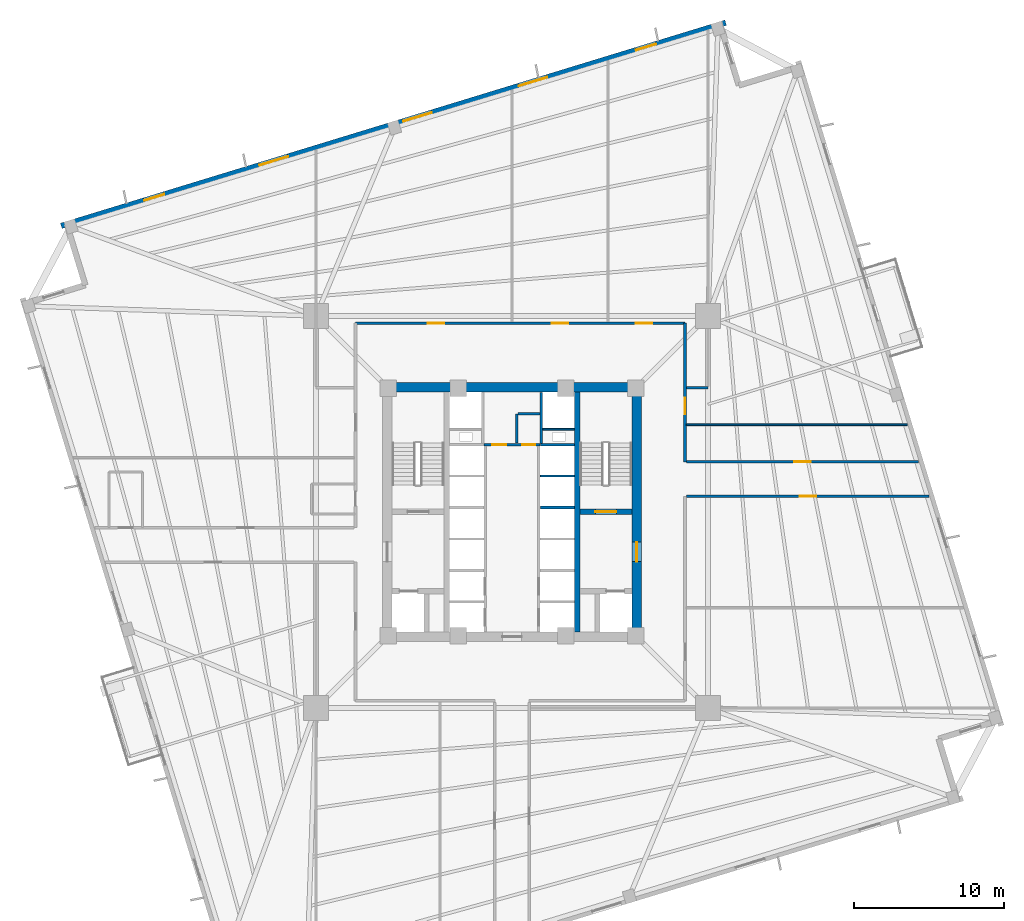
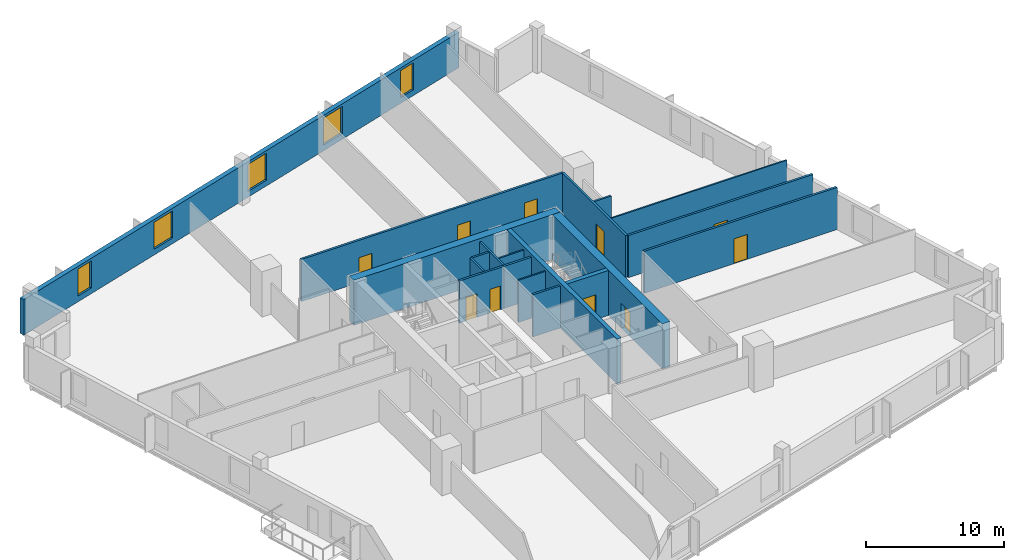
# One storey, part 5 of 9: 19 walls, 10 doors, 5 windows, 15 openings.
"""IFC4 building model written with IfcOpenShell, lengths in metres."""

from ifc_helpers import new_model, si_unit, direction, frame, frame_2d, origin, place, context, subcontext, project, spatial, rectangle, extrude, source, transform, mapped, material, layer, layer_set, type_object, element, fill, save


model = new_model("IFC4")

# Units and contexts
model_context = context("Model", 3, precision=1e-05, world=origin(), true_north=direction((0.0, 1.0)))
body_context = subcontext(model_context, "Body", "Model", "MODEL_VIEW")
ifc_project = project(units=[si_unit("LENGTHUNIT", "METRE"), si_unit("AREAUNIT", "SQUARE_METRE"), si_unit("VOLUMEUNIT", "CUBIC_METRE"), si_unit("PLANEANGLEUNIT", "RADIAN"), si_unit("MASSUNIT", "GRAM", prefix="KILO"), si_unit("THERMODYNAMICTEMPERATUREUNIT", "KELVIN")], contexts=[model_context])

# Site, building, storey
site_placement = place(None, origin())
site = spatial("IfcSite", under=ifc_project, at=site_placement, CompositionType="ELEMENT")
building_placement = place(site_placement, origin())
building = spatial("IfcBuilding", under=site, at=building_placement, Name="Kosmvard Interchange Tower", CompositionType="ELEMENT")
storey_placement = place(building_placement, frame((0.0, 0.0, 119.199951171875)))
storey = spatial("IfcBuildingStorey", under=building, at=storey_placement, Name="L28", CompositionType="ELEMENT", Elevation=119.199951171875)

# Walls
ifc_material_1 = material(Name="Acoustic gypsum partition system")
ifc_layer_1 = layer(ifc_material_1, 0.14990234375, Name="Acoustic gypsum partition system")
ifc_layer_set_1 = layer_set([ifc_layer_1], Name="Acoustic gypsum partition system")
wall_type_1 = type_object("IfcWallType", Name="Acoustic Suite & Meeting Partition 150", PredefinedType="PARTITIONING", material=ifc_layer_set_1)
wall_1_placement = place(storey_placement, frame((11.64501953125, 8.300048828125, 0.0), z_axis=(0.0, 0.0, 1.0), x_axis=(1.0, 0.0, 0.0)))
element("IfcWall", 1, at=wall_1_placement, inside=storey, type_object=wall_type_1, Name="L28 Room Partition 05.1", PredefinedType="PARTITIONING", context=body_context, shape_type="SweptSolid", body=[
    extrude(rectangle(XDim=1.43603515625, YDim=0.14990234375, at=frame_2d((0.718017578125, 0.0))), origin(), (0.0, 0.0, 1.0), 3.739990234375),
])
ifc_material_2 = material(Name="Fire-rated gypsum partition system")
ifc_layer_2 = layer(ifc_material_2, 0.159912109375, Name="Fire-rated gypsum partition system")
ifc_layer_set_2 = layer_set([ifc_layer_2], Name="Fire-rated gypsum partition system")
wall_type_2 = type_object("IfcWallType", Name="Core Compartment & Shuttle Lobby Partition 160", PredefinedType="PARTITIONING", material=ifc_layer_set_2)
wall_2_placement = place(storey_placement, frame((1.9599609375, 4.580078125, 0.0), z_axis=(0.0, 0.0, 1.0), x_axis=(0.0, 1.0, 0.0)))
element("IfcWall", 2, at=wall_2_placement, inside=storey, type_object=wall_type_2, Name="L28 North Core East Wall", PredefinedType="PARTITIONING", context=body_context, shape_type="SweptSolid", body=[
    extrude(rectangle(XDim=3.39990234375, YDim=0.159912109375, at=frame_2d((1.699951171875, 0.0))), origin(), (0.0, 0.0, 1.0), 3.739990234375),
])
ifc_material_3 = material(Name="Concrete blockwork masonry", Category="masonry")
ifc_layer_3 = layer(ifc_material_3, 0.159912109375, Name="Concrete blockwork masonry")
ifc_layer_set_3 = layer_set([ifc_layer_3], Name="Concrete blockwork masonry")
wall_type_3 = type_object("IfcWallType", Name="Core Enclosure Split Wall 160", PredefinedType="PARTITIONING", material=ifc_layer_set_3)
wall_3_placement = place(storey_placement, frame((0.320068359375, 4.60009765625, 0.0), z_axis=(0.0, 0.0, 1.0), x_axis=(0.0, 1.0, 0.0)))
element("IfcWall", 3, at=wall_3_placement, inside=storey, type_object=wall_type_3, Name="L28 Core K3 L-Wall 1", PredefinedType="PARTITIONING", context=body_context, shape_type="SweptSolid", body=[
    extrude(rectangle(XDim=1.949951171875, YDim=0.159912109375, at=frame_2d((0.97509765625, 0.0))), origin(), (0.0, 0.0, 1.0), 3.739990234375),
])
wall_4_placement = place(storey_placement, frame((0.39990234375, 6.550048828125, 0.0), z_axis=(0.0, 0.0, 1.0), x_axis=(1.0, 0.0, 0.0)))
element("IfcWall", 4, at=wall_4_placement, inside=storey, type_object=wall_type_3, Name="L28 Core K3 L-Wall 2", PredefinedType="PARTITIONING", context=body_context, shape_type="SweptSolid", body=[
    extrude(rectangle(XDim=1.460205078125, YDim=0.159912109375, at=frame_2d((0.72998046875, 0.0))), origin(), (0.0, 0.0, 1.0), 3.739990234375),
])

# Wall, openings, doors
ifc_layer_4 = layer(ifc_material_2, 0.179931640625, Name="Fire-rated gypsum partition system")
ifc_layer_set_4 = layer_set([ifc_layer_4], Name="Fire-rated gypsum partition system")
wall_type_4 = type_object("IfcWallType", Name="Corridor & Hotel Compartment Partition 180", PredefinedType="PARTITIONING", material=ifc_layer_set_4)
wall_5_placement = place(storey_placement, frame((-1.8798828125, 4.489990234375, 0.0), z_axis=(0.0, 0.0, 1.0), x_axis=(1.0, 0.0, 0.0)))
wall_5 = element("IfcWall", 5, at=wall_5_placement, inside=storey, type_object=wall_type_4, Name="L28 Lift Lobby North Partition", PredefinedType="PARTITIONING", context=body_context, shape_type="SweptSolid", body=[
    extrude(rectangle(XDim=3.759765625, YDim=0.179931640625, at=frame_2d((1.8798828125, 0.0))), origin(), (0.0, 0.0, 1.0), 3.739990234375),
])
opening_1_placement = place(wall_5_placement, frame((0.550048828125, 0.0, 0.0)))
opening_1 = element("IfcOpeningElement", 6, at=opening_1_placement, cuts=wall_5, Name="Opening L28-KD1", PredefinedType="OPENING", context=body_context, shape_type="SweptSolid", body=[
    extrude(rectangle(XDim=0.949951171875, YDim=2.10009765625, at=frame_2d((0.47509765625, 1.050048828125))), frame((0.0, 0.10009765625, 0.0), z_axis=(0.0, -1.0, 0.0), x_axis=(1.0, 0.0, 0.0)), (0.0, 0.0, 1.0), 0.199951171875),
])
opening_2_placement = place(wall_5_placement, frame((2.56005859375, 0.0, 0.0)))
opening_2 = element("IfcOpeningElement", 7, at=opening_2_placement, cuts=wall_5, Name="Opening L28-KD2", PredefinedType="OPENING", context=body_context, shape_type="SweptSolid", body=[
    extrude(rectangle(XDim=0.8798828125, YDim=2.10009765625, at=frame_2d((0.43994140625, 1.050048828125))), frame((0.0, 0.10009765625, 0.0), z_axis=(0.0, -1.0, 0.0), x_axis=(1.0, 0.0, 0.0)), (0.0, 0.0, 1.0), 0.199951171875),
])
ifc_material_4 = material(Name="Painted fire-rated timber leaf", Category="wood")
door_type_1 = type_object("IfcDoorType", Name="Core Service Fire Door 950x2100 EI30", OperationType="NOTDEFINED", PredefinedType="DOOR", material=ifc_material_4)
shared_shape_1 = source(origin(), body_context, "Body", "SweptSolid", [
    extrude(rectangle(XDim=0.949951171875, YDim=2.10009765625, at=frame_2d((0.47509765625, 1.050048828125))), frame((0.0, 0.02490234375, 0.0), z_axis=(0.0, -1.0, 0.0), x_axis=(1.0, 0.0, 0.0)), (0.0, 0.0, 1.0), 0.050048828125),
])
door_1_placement = place(opening_1_placement, origin())
door_1 = element("IfcDoor", 8, at=door_1_placement, inside=storey, type_object=door_type_1, Name="L28 Core Archive Store Door", OperationType="SINGLE_SWING_LEFT", OverallHeight=2.10009765625, OverallWidth=0.949951171875, PredefinedType="DOOR", context=body_context, shape_type="MappedRepresentation", body=[
    mapped(shared_shape_1, transform((0.0, 0.0, 0.0), scale=1.0)),
])
fill(opening_1, door_1)
door_type_2 = type_object("IfcDoorType", Name="Core Cupboard Fire Door 880x2100 EI30", OperationType="NOTDEFINED", PredefinedType="DOOR", material=ifc_material_4)
shared_shape_2 = source(origin(), body_context, "Body", "SweptSolid", [
    extrude(rectangle(XDim=0.8798828125, YDim=2.10009765625, at=frame_2d((0.43994140625, 1.050048828125))), frame((0.0, 0.02490234375, 0.0), z_axis=(0.0, -1.0, 0.0), x_axis=(1.0, 0.0, 0.0)), (0.0, 0.0, 1.0), 0.050048828125),
])
door_2_placement = place(opening_2_placement, origin())
door_2 = element("IfcDoor", 9, at=door_2_placement, inside=storey, type_object=door_type_2, Name="L28 Core Supplies Cupboard Door", OperationType="SINGLE_SWING_RIGHT", OverallHeight=2.10009765625, OverallWidth=0.8798828125, PredefinedType="DOOR", context=body_context, shape_type="MappedRepresentation", body=[
    mapped(shared_shape_2, transform((0.0, 0.0, 0.0), scale=1.0)),
])
fill(opening_2, door_2)

wall_6_placement = place(storey_placement, frame((-10.449951171875, 12.60009765625, 0.0), z_axis=(0.0, 0.0, 1.0), x_axis=(1.0, 0.0, 0.0)))
wall_6 = element("IfcWall", 10, at=wall_6_placement, inside=storey, type_object=wall_type_4, Name="L28 Corridor Wall CN", PredefinedType="PARTITIONING", context=body_context, shape_type="SweptSolid", body=[
    extrude(rectangle(XDim=22.0, YDim=0.179931640625, at=frame_2d((11.0, 0.0))), origin(), (0.0, 0.0, 1.0), 3.739990234375),
])
opening_3_placement = place(wall_6_placement, frame((4.83935546875, 0.0, 0.0)))
opening_3 = element("IfcOpeningElement", 11, at=opening_3_placement, cuts=wall_6, Name="Opening L28-D05", PredefinedType="OPENING", context=body_context, shape_type="SweptSolid", body=[
    extrude(rectangle(XDim=1.10009765625, YDim=2.199951171875, at=frame_2d((0.550048828125, 1.10009765625))), frame((0.0, 0.10009765625, 0.0), z_axis=(0.0, -1.0, 0.0), x_axis=(1.0, 0.0, 0.0)), (0.0, 0.0, 1.0), 0.199951171875),
])
opening_4_placement = place(wall_6_placement, frame((13.10009765625, 0.0, 0.0)))
opening_4 = element("IfcOpeningElement", 12, at=opening_4_placement, cuts=wall_6, Name="Opening L28-D06", PredefinedType="OPENING", context=body_context, shape_type="SweptSolid", body=[
    extrude(rectangle(XDim=1.10009765625, YDim=2.199951171875, at=frame_2d((0.550048828125, 1.10009765625))), frame((0.0, 0.10009765625, 0.0), z_axis=(0.0, -1.0, 0.0), x_axis=(1.0, 0.0, 0.0)), (0.0, 0.0, 1.0), 0.199951171875),
])
opening_5_placement = place(wall_6_placement, frame((18.71044921875, 0.0, 0.0)))
opening_5 = element("IfcOpeningElement", 13, at=opening_5_placement, cuts=wall_6, Name="Opening L28-D07", PredefinedType="OPENING", context=body_context, shape_type="SweptSolid", body=[
    extrude(rectangle(XDim=1.10009765625, YDim=2.199951171875, at=frame_2d((0.550048828125, 1.10009765625))), frame((0.0, 0.10009765625, 0.0), z_axis=(0.0, -1.0, 0.0), x_axis=(1.0, 0.0, 0.0)), (0.0, 0.0, 1.0), 0.199951171875),
])
ifc_material_5 = material(Name="Engineered oak fire-rated timber", Category="wood")
door_type_3 = type_object("IfcDoorType", Name="Office Suite Entrance Door 1100x2200 FD30S", OperationType="NOTDEFINED", PredefinedType="DOOR", material=ifc_material_5)
shared_shape_3 = source(origin(), body_context, "Body", "SweptSolid", [
    extrude(rectangle(XDim=1.10009765625, YDim=2.199951171875, at=frame_2d((0.550048828125, 1.10009765625))), frame((0.0, 0.02490234375, 0.0), z_axis=(0.0, -1.0, 0.0), x_axis=(1.0, 0.0, 0.0)), (0.0, 0.0, 1.0), 0.050048828125),
])
door_3_placement = place(opening_3_placement, origin())
door_3 = element("IfcDoor", 14, at=door_3_placement, inside=storey, type_object=door_type_3, Name="L28 Training Seminar Room 1 Door", OperationType="SINGLE_SWING_LEFT", OverallHeight=2.199951171875, OverallWidth=1.10009765625, PredefinedType="DOOR", context=body_context, shape_type="MappedRepresentation", body=[
    mapped(shared_shape_3, transform((0.0, 0.0, 0.0), scale=1.0)),
])
fill(opening_3, door_3)
door_4_placement = place(opening_4_placement, origin())
door_4 = element("IfcDoor", 15, at=door_4_placement, inside=storey, type_object=door_type_3, Name="L28 Conference Room 2 Door", OperationType="SINGLE_SWING_RIGHT", OverallHeight=2.199951171875, OverallWidth=1.10009765625, PredefinedType="DOOR", context=body_context, shape_type="MappedRepresentation", body=[
    mapped(shared_shape_3, transform((0.0, 0.0, 0.0), scale=1.0)),
])
fill(opening_4, door_4)
door_5_placement = place(opening_5_placement, origin())
door_5 = element("IfcDoor", 16, at=door_5_placement, inside=storey, type_object=door_type_3, Name="L28 Huddle Briefing Room 3 Door", OperationType="SINGLE_SWING_LEFT", OverallHeight=2.199951171875, OverallWidth=1.10009765625, PredefinedType="DOOR", context=body_context, shape_type="MappedRepresentation", body=[
    mapped(shared_shape_3, transform((0.0, 0.0, 0.0), scale=1.0)),
])
fill(opening_5, door_5)

# Wall, opening, door
wall_7_placement = place(storey_placement, frame((11.550048828125, 3.35009765625, 0.0), z_axis=(0.0, 0.0, 1.0), x_axis=(0.0, 1.0, 0.0)))
wall_7 = element("IfcWall", 17, at=wall_7_placement, inside=storey, type_object=wall_type_4, Name="L28 Corridor Wall CEN", PredefinedType="PARTITIONING", context=body_context, shape_type="SweptSolid", body=[
    extrude(rectangle(XDim=9.25, YDim=0.179931640625, at=frame_2d((4.625, 0.0))), origin(), (0.0, 0.0, 1.0), 3.739990234375),
])
opening_6_placement = place(wall_7_placement, frame((3.16259765625, 0.0, 0.0)))
opening_6 = element("IfcOpeningElement", 18, at=opening_6_placement, cuts=wall_7, Name="Opening L28-D09", PredefinedType="OPENING", context=body_context, shape_type="SweptSolid", body=[
    extrude(rectangle(XDim=1.10009765625, YDim=2.199951171875, at=frame_2d((0.550048828125, 1.10009765625))), frame((0.0, 0.10009765625, 0.0), z_axis=(0.0, -1.0, 0.0), x_axis=(1.0, 0.0, 0.0)), (0.0, 0.0, 1.0), 0.199951171875),
])
door_6_placement = place(opening_6_placement, frame((1.10009765625, 0.0, 0.0), z_axis=(0.0, 0.0, 1.0), x_axis=(-1.0, 0.0, 0.0)))
door_6 = element("IfcDoor", 19, at=door_6_placement, inside=storey, type_object=door_type_3, Name="L28 East Legal Office 2 Door", OperationType="SINGLE_SWING_LEFT", OverallHeight=2.199951171875, OverallWidth=1.10009765625, PredefinedType="DOOR", context=body_context, shape_type="MappedRepresentation", body=[
    mapped(shared_shape_3, transform((0.0, 0.0, 0.0), scale=1.0)),
])
fill(opening_6, door_6)

wall_8_placement = place(storey_placement, frame((11.64990234375, 1.050048828125, 0.0), z_axis=(0.0, 0.0, 1.0), x_axis=(1.0, 0.0, 0.0)))
wall_8 = element("IfcWall", 20, at=wall_8_placement, inside=storey, type_object=wall_type_4, Name="L28 Corridor Wall SES", PredefinedType="PARTITIONING", context=body_context, shape_type="SweptSolid", body=[
    extrude(rectangle(XDim=16.19482421875, YDim=0.179931640625, at=frame_2d((8.097412109375, 0.0))), origin(), (0.0, 0.0, 1.0), 3.739990234375),
])
opening_7_placement = place(wall_8_placement, frame((7.54736328125, 0.0, 0.0)))
opening_7 = element("IfcOpeningElement", 21, at=opening_7_placement, cuts=wall_8, Name="Opening L28-D10", PredefinedType="OPENING", context=body_context, shape_type="SweptSolid", body=[
    extrude(rectangle(XDim=1.10009765625, YDim=2.199951171875, at=frame_2d((0.550048828125, 1.10009765625))), frame((0.0, 0.10009765625, 0.0), z_axis=(0.0, -1.0, 0.0), x_axis=(1.0, 0.0, 0.0)), (0.0, 0.0, 1.0), 0.199951171875),
])
door_7_placement = place(opening_7_placement, frame((1.10009765625, 0.0, 0.0), z_axis=(0.0, 0.0, 1.0), x_axis=(-1.0, 0.0, 0.0)))
door_7 = element("IfcDoor", 22, at=door_7_placement, inside=storey, type_object=door_type_3, Name="L28 Staff Changing Showers Door", OperationType="SINGLE_SWING_RIGHT", OverallHeight=2.199951171875, OverallWidth=1.10009765625, PredefinedType="DOOR", context=body_context, shape_type="MappedRepresentation", body=[
    mapped(shared_shape_3, transform((0.0, 0.0, 0.0), scale=1.0)),
])
fill(opening_7, door_7)

wall_9_placement = place(storey_placement, frame((11.64990234375, 3.35009765625, 0.0), z_axis=(0.0, 0.0, 1.0), x_axis=(1.0, 0.0, 0.0)))
wall_9 = element("IfcWall", 23, at=wall_9_placement, inside=storey, type_object=wall_type_4, Name="L28 Corridor Wall SEN", PredefinedType="PARTITIONING", context=body_context, shape_type="SweptSolid", body=[
    extrude(rectangle(XDim=15.49169921875, YDim=0.179931640625, at=frame_2d((7.745849609375, 0.0))), origin(), (0.0, 0.0, 1.0), 3.739990234375),
])
opening_8_placement = place(wall_9_placement, frame((7.19580078125, 0.0, 0.0)))
opening_8 = element("IfcOpeningElement", 24, at=opening_8_placement, cuts=wall_9, Name="Opening L28-D08", PredefinedType="OPENING", context=body_context, shape_type="SweptSolid", body=[
    extrude(rectangle(XDim=1.10009765625, YDim=2.199951171875, at=frame_2d((0.550048828125, 1.10009765625))), frame((0.0, 0.10009765625, 0.0), z_axis=(0.0, -1.0, 0.0), x_axis=(1.0, 0.0, 0.0)), (0.0, 0.0, 1.0), 0.199951171875),
])
door_8_placement = place(opening_8_placement, origin())
door_8 = element("IfcDoor", 25, at=door_8_placement, inside=storey, type_object=door_type_3, Name="L28 East Legal Office 1 Door", OperationType="SINGLE_SWING_RIGHT", OverallHeight=2.199951171875, OverallWidth=1.10009765625, PredefinedType="DOOR", context=body_context, shape_type="MappedRepresentation", body=[
    mapped(shared_shape_3, transform((0.0, 0.0, 0.0), scale=1.0)),
])
fill(opening_8, door_8)

# Wall, openings, windows
ifc_material_6 = material(Name="Precast concrete C45/55", Category="concrete")
ifc_layer_5 = layer(ifc_material_6, 0.3798828125, Name="Precast concrete C45/55")
ifc_layer_set_5 = layer_set([ifc_layer_5], Name="Precast concrete C45/55")
wall_type_5 = type_object("IfcWallType", Name="Lower Tower Precast Pier Wall 380 C45/55", PredefinedType="STANDARD", material=ifc_layer_set_5)
wall_10_placement = place(storey_placement, frame((14.26513671875, 32.65771484375, 0.0), z_axis=(0.0, 0.0, 1.0), x_axis=(-0.956304320851, -0.292373127906, 0.0)))
wall_10 = element("IfcWall", 26, at=wall_10_placement, inside=storey, type_object=wall_type_5, Name="L28 Precast Facade Wall F-N", PredefinedType="STANDARD", context=body_context, shape_type="SweptSolid", body=[
    extrude(rectangle(XDim=46.380126953125, YDim=0.3798828125, at=frame_2d((23.18994140625, 0.0))), origin(), (0.0, 0.0, 1.0), 3.14013671875),
])
opening_9_placement = place(wall_10_placement, frame((4.865478515625, 0.0, 0.510009765625)))
opening_9 = element("IfcOpeningElement", 27, at=opening_9_placement, cuts=wall_10, Name="Opening L28-W10", PredefinedType="OPENING", context=body_context, shape_type="SweptSolid", body=[
    extrude(rectangle(XDim=1.39990234375, YDim=2.39990234375, at=frame_2d((0.699951171875, 1.199951171875))), frame((0.0, 0.199951171875, 0.0), z_axis=(0.0, -1.0, 0.0), x_axis=(1.0, 0.0, 0.0)), (0.0, 0.0, 1.0), 0.39990234375),
])
opening_10_placement = place(wall_10_placement, frame((12.4501953125, 0.0, 0.510009765625)))
opening_10 = element("IfcOpeningElement", 28, at=opening_10_placement, cuts=wall_10, Name="Opening L28-W11", PredefinedType="OPENING", context=body_context, shape_type="SweptSolid", body=[
    extrude(rectangle(XDim=2.0, YDim=2.39990234375, at=frame_2d((1.0, 1.199951171875))), frame((0.0, 0.199951171875, 0.0), z_axis=(0.0, -1.0, 0.0), x_axis=(1.0, 0.0, 0.0)), (0.0, 0.0, 1.0), 0.39990234375),
])
opening_11_placement = place(wall_10_placement, frame((20.512451171875, 0.0, 0.510009765625)))
opening_11 = element("IfcOpeningElement", 29, at=opening_11_placement, cuts=wall_10, Name="Opening L28-W12", PredefinedType="OPENING", context=body_context, shape_type="SweptSolid", body=[
    extrude(rectangle(XDim=2.0, YDim=2.39990234375, at=frame_2d((1.0, 1.199951171875))), frame((0.0, 0.199951171875, 0.0), z_axis=(0.0, -1.0, 0.0), x_axis=(1.0, 0.0, 0.0)), (0.0, 0.0, 1.0), 0.39990234375),
])
opening_12_placement = place(wall_10_placement, frame((30.538330078125, 0.0, 0.510009765625)))
opening_12 = element("IfcOpeningElement", 30, at=opening_12_placement, cuts=wall_10, Name="Opening L28-W13", PredefinedType="OPENING", context=body_context, shape_type="SweptSolid", body=[
    extrude(rectangle(XDim=2.0, YDim=2.39990234375, at=frame_2d((1.0, 1.199951171875))), frame((0.0, 0.199951171875, 0.0), z_axis=(0.0, -1.0, 0.0), x_axis=(1.0, 0.0, 0.0)), (0.0, 0.0, 1.0), 0.39990234375),
])
opening_13_placement = place(wall_10_placement, frame((39.186767578125, 0.0, 0.510009765625)))
opening_13 = element("IfcOpeningElement", 31, at=opening_13_placement, cuts=wall_10, Name="Opening L28-W14", PredefinedType="OPENING", context=body_context, shape_type="SweptSolid", body=[
    extrude(rectangle(XDim=1.39990234375, YDim=2.39990234375, at=frame_2d((0.699951171875, 1.199951171875))), frame((0.0, 0.199951171875, 0.0), z_axis=(0.0, -1.0, 0.0), x_axis=(1.0, 0.0, 0.0)), (0.0, 0.0, 1.0), 0.39990234375),
])
ifc_material_7 = material(Name="Low-E solar-control double glazing", Category="glass")
window_type_1 = type_object("IfcWindowType", Name="Notched Corner Feature Window 1400x2400", PartitioningType="SINGLE_PANEL", PredefinedType="WINDOW", material=ifc_material_7)
shared_shape_4 = source(origin(), body_context, "Body", "SweptSolid", [
    extrude(rectangle(XDim=1.39990234375, YDim=2.39990234375, at=frame_2d((0.699951171875, 1.199951171875))), frame((0.0, 0.030029296875, 0.0), z_axis=(0.0, -1.0, 0.0), x_axis=(1.0, 0.0, 0.0)), (0.0, 0.0, 1.0), 0.06005859375),
])
window_1_placement = place(opening_9_placement, origin())
window_1 = element("IfcWindow", 32, at=window_1_placement, inside=storey, type_object=window_type_1, Name="L28 Facade Punched Window 10", OverallHeight=2.39990234375, OverallWidth=1.39990234375, PartitioningType="SINGLE_PANEL", PredefinedType="WINDOW", context=body_context, shape_type="MappedRepresentation", body=[
    mapped(shared_shape_4, transform((0.0, 0.0, 0.0), scale=1.0)),
])
fill(opening_9, window_1)
window_2_placement = place(opening_13_placement, origin())
window_2 = element("IfcWindow", 33, at=window_2_placement, inside=storey, type_object=window_type_1, Name="L28 Facade Punched Window 14", OverallHeight=2.39990234375, OverallWidth=1.39990234375, PartitioningType="SINGLE_PANEL", PredefinedType="WINDOW", context=body_context, shape_type="MappedRepresentation", body=[
    mapped(shared_shape_4, transform((0.0, 0.0, 0.0), scale=1.0)),
])
fill(opening_13, window_2)
window_type_2 = type_object("IfcWindowType", Name="Zone 2 Office Punched Window 2000x2400", PartitioningType="SINGLE_PANEL", PredefinedType="WINDOW", material=ifc_material_7)
shared_shape_5 = source(origin(), body_context, "Body", "SweptSolid", [
    extrude(rectangle(XDim=2.0, YDim=2.39990234375, at=frame_2d((1.0, 1.199951171875))), frame((0.0, 0.030029296875, 0.0), z_axis=(0.0, -1.0, 0.0), x_axis=(1.0, 0.0, 0.0)), (0.0, 0.0, 1.0), 0.06005859375),
])
window_3_placement = place(opening_10_placement, origin())
window_3 = element("IfcWindow", 34, at=window_3_placement, inside=storey, type_object=window_type_2, Name="L28 Facade Punched Window 11", OverallHeight=2.39990234375, OverallWidth=2.0, PartitioningType="SINGLE_PANEL", PredefinedType="WINDOW", context=body_context, shape_type="MappedRepresentation", body=[
    mapped(shared_shape_5, transform((0.0, 0.0, 0.0), scale=1.0)),
])
fill(opening_10, window_3)
window_4_placement = place(opening_11_placement, origin())
window_4 = element("IfcWindow", 35, at=window_4_placement, inside=storey, type_object=window_type_2, Name="L28 Facade Punched Window 12", OverallHeight=2.39990234375, OverallWidth=2.0, PartitioningType="SINGLE_PANEL", PredefinedType="WINDOW", context=body_context, shape_type="MappedRepresentation", body=[
    mapped(shared_shape_5, transform((0.0, 0.0, 0.0), scale=1.0)),
])
fill(opening_11, window_4)
window_5_placement = place(opening_12_placement, origin())
window_5 = element("IfcWindow", 36, at=window_5_placement, inside=storey, type_object=window_type_2, Name="L28 Facade Punched Window 13", OverallHeight=2.39990234375, OverallWidth=2.0, PartitioningType="SINGLE_PANEL", PredefinedType="WINDOW", context=body_context, shape_type="MappedRepresentation", body=[
    mapped(shared_shape_5, transform((0.0, 0.0, 0.0), scale=1.0)),
])
fill(opening_12, window_5)

# Wall
ifc_material_8 = material(Name="Concrete C70/85", Category="concrete")
ifc_layer_6 = layer(ifc_material_8, 0.64990234375, Name="Concrete C70/85")
ifc_layer_set_6 = layer_set([ifc_layer_6], Name="Concrete C70/85")
wall_type_6 = type_object("IfcWallType", Name="Mid Core Shear Wall 650 C70/85", PredefinedType="SHEAR", material=ifc_layer_set_6)
wall_11_placement = place(storey_placement, frame((-8.64990234375, 8.324951171875, 0.0), z_axis=(0.0, 0.0, 1.0), x_axis=(1.0, 0.0, 0.0)))
element("IfcWall", 37, at=wall_11_placement, inside=storey, type_object=wall_type_6, Name="L28 Core Shear Wall CW-N", PredefinedType="SHEAR", context=body_context, shape_type="SweptSolid", body=[
    extrude(rectangle(XDim=17.2998046875, YDim=0.64990234375, at=frame_2d((8.64990234375, 0.0))), origin(), (0.0, 0.0, 1.0), 4.0),
])

# Wall, opening, door
wall_12_placement = place(storey_placement, frame((8.324951171875, -8.0, 0.0), z_axis=(0.0, 0.0, 1.0), x_axis=(0.0, 1.0, 0.0)))
wall_12 = element("IfcWall", 38, at=wall_12_placement, inside=storey, type_object=wall_type_6, Name="L28 Core Shear Wall CW-E", PredefinedType="SHEAR", context=body_context, shape_type="SweptSolid", body=[
    extrude(rectangle(XDim=16.0, YDim=0.64990234375, at=frame_2d((8.0, 0.0))), origin(), (0.0, 0.0, 1.0), 4.0),
])
opening_14_placement = place(wall_12_placement, frame((4.68994140625, 0.0, 0.0)))
opening_14 = element("IfcOpeningElement", 39, at=opening_14_placement, cuts=wall_12, Name="Opening L28-FD2", PredefinedType="OPENING", context=body_context, shape_type="SweptSolid", body=[
    extrude(rectangle(XDim=1.300048828125, YDim=2.199951171875, at=frame_2d((0.64990234375, 1.10009765625))), frame((0.0, 0.3349609375, 0.0), z_axis=(0.0, -1.0, 0.0), x_axis=(1.0, 0.0, 0.0)), (0.0, 0.0, 1.0), 0.669921875),
])
ifc_material_9 = material(Name="Painted fire-rated steel leaf", Category="steel")
door_type_4 = type_object("IfcDoorType", Name="Firefighting Lobby Door 1300x2200 EI60", OperationType="NOTDEFINED", PredefinedType="DOOR", material=ifc_material_9)
shared_shape_6 = source(origin(), body_context, "Body", "SweptSolid", [
    extrude(rectangle(XDim=1.300048828125, YDim=2.199951171875, at=frame_2d((0.64990234375, 1.10009765625))), frame((0.0, 0.02490234375, 0.0), z_axis=(0.0, -1.0, 0.0), x_axis=(1.0, 0.0, 0.0)), (0.0, 0.0, 1.0), 0.050048828125),
])
door_9_placement = place(opening_14_placement, origin())
door_9 = element("IfcDoor", 40, at=door_9_placement, inside=storey, type_object=door_type_4, Name="L28 Firefighting Lobby East Door", OperationType="SINGLE_SWING_RIGHT", OverallHeight=2.199951171875, OverallWidth=1.300048828125, PredefinedType="DOOR", context=body_context, shape_type="MappedRepresentation", body=[
    mapped(shared_shape_6, transform((0.0, 0.0, 0.0), scale=1.0)),
])
fill(opening_14, door_9)

# Walls
ifc_material_10 = material(Name="Gypsum board partition system")
ifc_layer_7 = layer(ifc_material_10, 0.1201171875, Name="Gypsum board partition system")
ifc_layer_set_7 = layer_set([ifc_layer_7], Name="Gypsum board partition system")
wall_type_7 = type_object("IfcWallType", Name="Office Cellular Partition 120", PredefinedType="PARTITIONING", material=ifc_layer_set_7)
wall_13_placement = place(storey_placement, frame((11.64501953125, 5.824951171875, 0.0), z_axis=(0.0, 0.0, 1.0), x_axis=(1.0, 0.0, 0.0)))
element("IfcWall", 41, at=wall_13_placement, inside=storey, type_object=wall_type_7, Name="L28 Room Partition 08.1", PredefinedType="PARTITIONING", context=body_context, shape_type="SweptSolid", body=[
    extrude(rectangle(XDim=14.73974609375, YDim=0.1201171875, at=frame_2d((7.369873046875, 0.0))), origin(), (0.0, 0.0, 1.0), 3.739990234375),
])
ifc_layer_8 = layer(ifc_material_3, 0.179931640625, Name="Concrete blockwork masonry")
ifc_layer_set_8 = layer_set([ifc_layer_8], Name="Concrete blockwork masonry")
wall_type_8 = type_object("IfcWallType", Name="Riser & Lift Bank Divider Wall 180", PredefinedType="PARTITIONING", material=ifc_layer_set_8)
for number, where, z_axis, x_axis, name in (
    (42, (1.889892578125, 0.300048828125, 0.0), (0.0, 0.0, 1.0), (1.0, 0.0, 0.0), "L28 East Bank Divider BD2"),
    (43, (1.889892578125, 4.489990234375, 0.0), (0.0, 0.0, 1.0), (1.0, 0.0, 0.0), "L28 East Bank Divider BD3"),
):
    element("IfcWall", number, at=place(storey_placement, frame(where, z_axis=z_axis, x_axis=x_axis)), inside=storey, type_object=wall_type_8, Name=name, PredefinedType="PARTITIONING", context=body_context, shape_type="SweptSolid", body=[
        extrude(rectangle(XDim=2.280029296875, YDim=0.179931640625, at=frame_2d((1.14013671875, 0.0))), origin(), (0.0, 0.0, 1.0), 3.739990234375),
    ])
ifc_material_11 = material(Name="Fire-rated gypsum shaftwall system")
ifc_layer_9 = layer(ifc_material_11, 0.1201171875, Name="Fire-rated gypsum shaftwall system")
ifc_layer_set_9 = layer_set([ifc_layer_9], Name="Fire-rated gypsum shaftwall system")
wall_type_9 = type_object("IfcWallType", Name="Shaft & Riser Fire Partition 120 EI60", PredefinedType="PARTITIONING", material=ifc_layer_set_9)
wall_14_placement = place(storey_placement, frame((1.89990234375, 2.39990234375, 0.0), z_axis=(0.0, 0.0, 1.0), x_axis=(1.0, 0.0, 0.0)))
element("IfcWall", 44, at=wall_14_placement, inside=storey, type_object=wall_type_9, Name="L28 Shaft Divider PL-H3", PredefinedType="PARTITIONING", context=body_context, shape_type="SweptSolid", body=[
    extrude(rectangle(XDim=2.260009765625, YDim=0.1201171875, at=frame_2d((1.1298828125, 0.0))), origin(), (0.0, 0.0, 1.0), 3.739990234375),
])
wall_15_placement = place(storey_placement, frame((2.06005859375, 5.52001953125, 0.0), z_axis=(0.0, 0.0, 1.0), x_axis=(1.0, 0.0, 0.0)))
element("IfcWall", 45, at=wall_15_placement, inside=storey, type_object=wall_type_9, Name="L28 Riser Shaft Divider E", PredefinedType="PARTITIONING", context=body_context, shape_type="SweptSolid", body=[
    extrude(rectangle(XDim=2.099853515625, YDim=0.1201171875, at=frame_2d((1.0498046875, 0.0))), origin(), (0.0, 0.0, 1.0), 3.739990234375),
])
ifc_material_12 = material(Name="Concrete C60/75", Category="concrete")
ifc_layer_10 = layer(ifc_material_12, 0.360107421875, Name="Concrete C60/75")
ifc_layer_set_10 = layer_set([ifc_layer_10], Name="Concrete C60/75")
wall_type_10 = type_object("IfcWallType", Name="Stair & Lift Shaft Shear Wall 360 C60/75", PredefinedType="SHEAR", material=ifc_layer_set_10)
wall_16_placement = place(storey_placement, frame((4.360107421875, -8.0, 0.0), z_axis=(0.0, 0.0, 1.0), x_axis=(0.0, 1.0, 0.0)))
element("IfcWall", 46, at=wall_16_placement, inside=storey, type_object=wall_type_10, Name="L28 Shaft Shear Wall SW-E", PredefinedType="SHEAR", context=body_context, shape_type="SweptSolid", body=[
    extrude(rectangle(XDim=16.0, YDim=0.360107421875, at=frame_2d((8.0, 0.0))), origin(), (0.0, 0.0, 1.0), 4.0),
])

# Wall, opening, door
wall_17_placement = place(storey_placement, frame((4.5400390625, 0.02001953125, 0.0), z_axis=(0.0, 0.0, 1.0), x_axis=(1.0, 0.0, 0.0)))
wall_17 = element("IfcWall", 47, at=wall_17_placement, inside=storey, type_object=wall_type_10, Name="L28 Shaft Shear Wall SW-ST2", PredefinedType="SHEAR", context=body_context, shape_type="SweptSolid", body=[
    extrude(rectangle(XDim=3.4599609375, YDim=0.360107421875, at=frame_2d((1.72998046875, 0.0))), origin(), (0.0, 0.0, 1.0), 4.0),
])
opening_15_placement = place(wall_17_placement, frame((1.030029296875, 0.0, 0.0)))
opening_15 = element("IfcOpeningElement", 48, at=opening_15_placement, cuts=wall_17, Name="Opening L28-SD2", PredefinedType="OPENING", context=body_context, shape_type="SweptSolid", body=[
    extrude(rectangle(XDim=1.39990234375, YDim=2.199951171875, at=frame_2d((0.699951171875, 1.10009765625))), frame((0.0, 0.18994140625, 0.0), z_axis=(0.0, -1.0, 0.0), x_axis=(1.0, 0.0, 0.0)), (0.0, 0.0, 1.0), 0.380126953125),
])
door_type_5 = type_object("IfcDoorType", Name="Protected Stair Door 1400x2200 FD60S", OperationType="NOTDEFINED", PredefinedType="DOOR", material=ifc_material_9)
shared_shape_7 = source(origin(), body_context, "Body", "SweptSolid", [
    extrude(rectangle(XDim=1.39990234375, YDim=2.199951171875, at=frame_2d((0.699951171875, 1.10009765625))), frame((0.0, 0.02490234375, 0.0), z_axis=(0.0, -1.0, 0.0), x_axis=(1.0, 0.0, 0.0)), (0.0, 0.0, 1.0), 0.050048828125),
])
door_10_placement = place(opening_15_placement, origin())
door_10 = element("IfcDoor", 49, at=door_10_placement, inside=storey, type_object=door_type_5, Name="L28 Stair ST-2 Enclosure Door", OperationType="SINGLE_SWING_RIGHT", OverallHeight=2.199951171875, OverallWidth=1.39990234375, PredefinedType="DOOR", context=body_context, shape_type="MappedRepresentation", body=[
    mapped(shared_shape_7, transform((0.0, 0.0, 0.0), scale=1.0)),
])
fill(opening_15, door_10)

save(model, "model.ifc")
